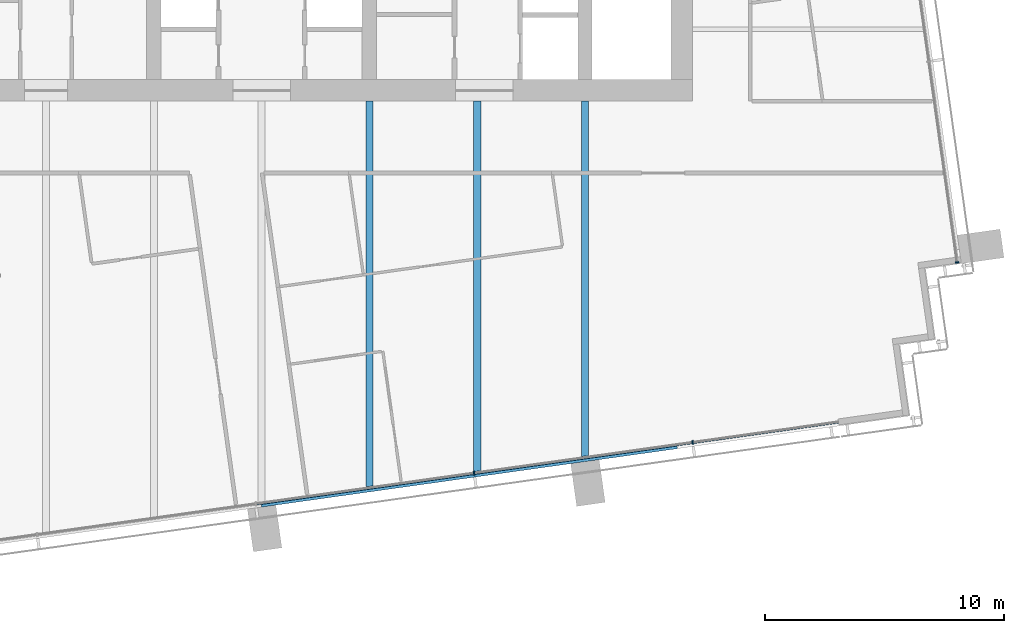
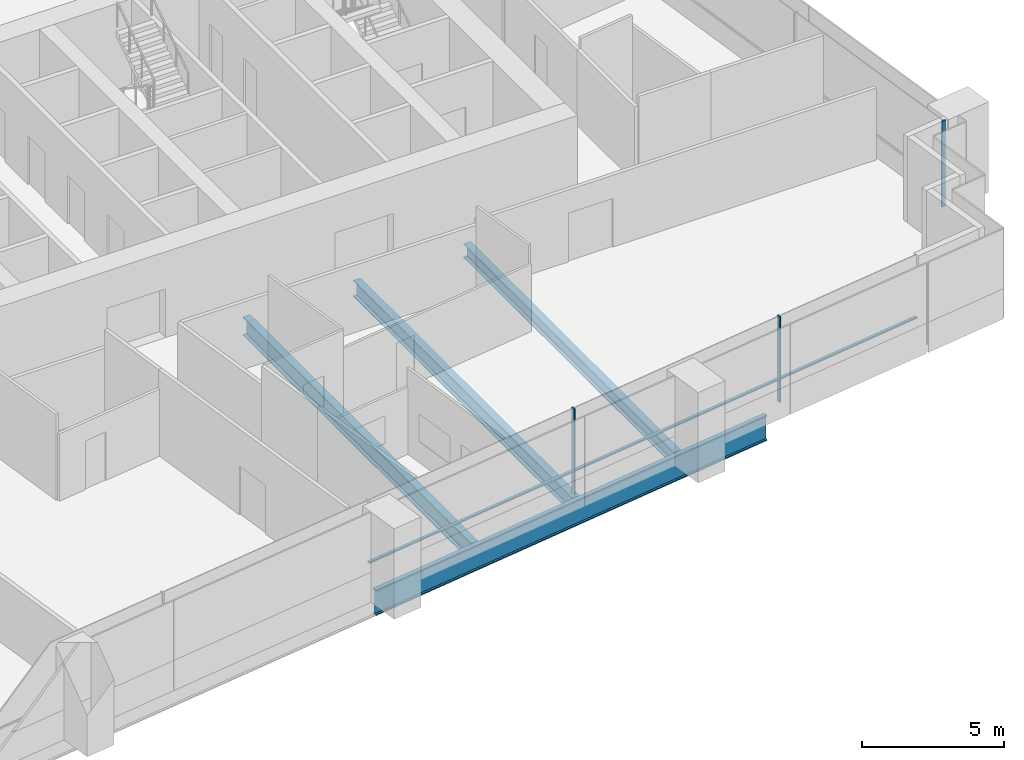
# One storey, part 4 of 18: 6 members, 4 beams, 2 elements without a shape of their own.
"""IFC4 building model written with IfcOpenShell, lengths in metres."""

from ifc_helpers import new_model, si_unit, direction, frame, origin, origin_2d, place, context, subcontext, project, spatial, rectangle, i_section, extrude, material, material_profile, profile_set, type_object, element, aggregate, save


model = new_model("IFC4")

# Units and contexts
model_context = context("Model", 3, precision=1e-05, world=origin(), true_north=direction((0.0, 1.0)))
body_context = subcontext(model_context, "Body", "Model", "MODEL_VIEW")
ifc_project = project(units=[si_unit("LENGTHUNIT", "METRE"), si_unit("AREAUNIT", "SQUARE_METRE"), si_unit("VOLUMEUNIT", "CUBIC_METRE"), si_unit("PLANEANGLEUNIT", "RADIAN"), si_unit("MASSUNIT", "GRAM", prefix="KILO")], contexts=[model_context])

# Site, building, storey
site_placement = place(None, origin())
site = spatial("IfcSite", under=ifc_project, at=site_placement, CompositionType="ELEMENT")
building_placement = place(site_placement, origin())
building = spatial("IfcBuilding", under=site, at=building_placement, Name="Rattan Terrace Tower", CompositionType="ELEMENT")
storey_placement = place(building_placement, frame((0.0, 0.0, 176.300048828125)))
storey = spatial("IfcBuildingStorey", under=building, at=storey_placement, Name="L40", CompositionType="ELEMENT", Elevation=176.300048828125)

# Curtain wall, member
ifc_material_1 = material(Name="Aluminium and glass", Category="aluminium")
curtain_wall_type = type_object("IfcCurtainWallType", Name="Facade Unitised Curtain Wall", PredefinedType="NOTDEFINED", material=ifc_material_1)
curtain_wall_1_placement = place(storey_placement, origin())
curtain_wall_1 = element("IfcCurtainWall", 1, at=curtain_wall_1_placement, inside=storey, type_object=curtain_wall_type, Name="Curtain wall L40-1", PredefinedType="NOTDEFINED")
ifc_material_2 = material(Name="Aluminium", Category="aluminium")
ifc_material_profile_1 = material_profile(ifc_material_2, rectangle(XDim=0.06005859375, YDim=0.159912109375, at=origin_2d()), Name="Aluminium 60x160")
ifc_profile_set_1 = profile_set([ifc_material_profile_1], Name="Aluminium")
member_type_1 = type_object("IfcMemberType", Name="Facade CW Mullion 60x160", PredefinedType="MULLION", material=ifc_profile_set_1)
member_1_placement = place(storey_placement, frame((29.037109375, -14.2333984375, 0.0), z_axis=(0.0, 0.0, 1.0), x_axis=(-0.139190856006, 0.99026557327, 0.0)))
member_1 = element("IfcMember", 2, at=member_1_placement, type_object=member_type_1, Name="Mullion cwl-L40-001.1", PredefinedType="MULLION", context=body_context, shape_type="SweptSolid", body=[
    extrude(rectangle(XDim=0.06005859375, YDim=0.159912109375, at=origin_2d()), origin(), (0.0, 0.0, 1.0), 3.699951171875),
])
aggregate(curtain_wall_1, [member_1])

# Curtain wall, members
curtain_wall_2_placement = place(storey_placement, origin())
curtain_wall_2 = element("IfcCurtainWall", 3, at=curtain_wall_2_placement, inside=storey, type_object=curtain_wall_type, Name="Curtain wall L40-4", PredefinedType="NOTDEFINED")
member_2_placement = place(storey_placement, frame((8.873291015625, -23.0302734375, 0.0), z_axis=(0.0, 0.0, 1.0), x_axis=(0.990269702686, 0.139161474347, 0.0)))
member_2 = element("IfcMember", 4, at=member_2_placement, type_object=member_type_1, Name="Mullion cwl-L40-004.4", PredefinedType="MULLION", context=body_context, shape_type="SweptSolid", body=[
    extrude(rectangle(XDim=0.06005859375, YDim=0.159912109375, at=origin_2d()), origin(), (0.0, 0.0, 1.0), 3.699951171875),
])
member_3_placement = place(storey_placement, frame((17.996826171875, -21.748291015625, 0.0), z_axis=(0.0, 0.0, 1.0), x_axis=(0.990269702686, 0.139161474347, 0.0)))
member_3 = element("IfcMember", 5, at=member_3_placement, type_object=member_type_1, Name="Mullion cwl-L40-004.5", PredefinedType="MULLION", context=body_context, shape_type="SweptSolid", body=[
    extrude(rectangle(XDim=0.06005859375, YDim=0.159912109375, at=origin_2d()), origin(), (0.0, 0.0, 1.0), 3.699951171875),
])
ifc_material_3 = material(Name="Aluminium", Category="aluminium")
ifc_material_profile_2 = material_profile(ifc_material_3, rectangle(XDim=0.1201171875, YDim=0.06005859375, at=origin_2d()), Name="Aluminium 120x60")
ifc_profile_set_2 = profile_set([ifc_material_profile_2], Name="Aluminium")
member_type_2 = type_object("IfcMemberType", Name="Facade CW Transom 120x60", PredefinedType="USERDEFINED", material=ifc_profile_set_2)
member_4_placement = place(storey_placement, frame((-0.22021484375, -24.308349609375, 1.0), z_axis=(0.990267035849, 0.139180450171, 0.0), x_axis=(-0.139180450171, 0.990267035849, 0.0)))
member_4 = element("IfcMember", 6, at=member_4_placement, type_object=member_type_2, Name="Transom cwl-L40-004.3", ObjectType="TRANSOM", PredefinedType="USERDEFINED", context=body_context, shape_type="SweptSolid", body=[
    extrude(rectangle(XDim=0.1201171875, YDim=0.06005859375, at=origin_2d()), origin(), (0.0, 0.0, 1.0), 9.153076171875),
])
member_5_placement = place(storey_placement, frame((8.903076171875, -23.026123046875, 1.0), z_axis=(0.990270711765, 0.139154293575, 0.0), x_axis=(-0.139154293575, 0.990270711765, 0.0)))
member_5 = element("IfcMember", 7, at=member_5_placement, type_object=member_type_2, Name="Transom cwl-L40-004.4", ObjectType="TRANSOM", PredefinedType="USERDEFINED", context=body_context, shape_type="SweptSolid", body=[
    extrude(rectangle(XDim=0.1201171875, YDim=0.06005859375, at=origin_2d()), origin(), (0.0, 0.0, 1.0), 9.153076171875),
])
member_6_placement = place(storey_placement, frame((18.0263671875, -21.744140625, 1.0), z_axis=(0.990267752185, 0.139175353357, 0.0), x_axis=(-0.139175353357, 0.990267752185, 0.0)))
member_6 = element("IfcMember", 8, at=member_6_placement, type_object=member_type_2, Name="Transom cwl-L40-004.5", ObjectType="TRANSOM", PredefinedType="USERDEFINED", context=body_context, shape_type="SweptSolid", body=[
    extrude(rectangle(XDim=0.1201171875, YDim=0.06005859375, at=origin_2d()), origin(), (0.0, 0.0, 1.0), 6.11865234375),
])
aggregate(curtain_wall_2, [member_2, member_3, member_4, member_5, member_6])

# Beams
ifc_material_4 = material(Name="Steel S460", Category="steel")
ifc_material_profile_3 = material_profile(ifc_material_4, i_section(OverallWidth=0.179931640625, OverallDepth=1.10009765625, WebThickness=0.01611328125, FlangeThickness=0.050048828125, at=origin_2d()), Name="PG 1100x180-16-50")
ifc_profile_set_3 = profile_set([ifc_material_profile_3], Name="Steel S460")
beam_type_1 = type_object("IfcBeamType", Name="Frame edge girder PG 1100x180-16-50", PredefinedType="SPANDREL", material=ifc_profile_set_3)
beam_1_placement = place(storey_placement, frame((17.347900390625, -21.9208984375, -0.75), z_axis=(-0.990273554652, -0.139134061096, 0.0), x_axis=(0.139134061096, -0.990273554652, 0.0)))
element("IfcBeam", 9, at=beam_1_placement, inside=storey, type_object=beam_type_1, Name="gdr-L40-002", PredefinedType="SPANDREL", context=body_context, shape_type="SweptSolid", body=[
    extrude(i_section(OverallWidth=0.179931640625, OverallDepth=1.10009765625, WebThickness=0.01611328125, FlangeThickness=0.050048828125, at=origin_2d()), origin(), (0.0, 0.0, 1.0), 17.53125),
])
ifc_material_5 = material(Name="Steel S355", Category="steel")
ifc_material_profile_4 = material_profile(ifc_material_5, i_section(OverallWidth=0.300048828125, OverallDepth=0.60009765625, WebThickness=0.015380859375, FlangeThickness=0.030029296875, FilletRadius=0.027099609375, at=origin_2d()), Name="HE 600 B")
ifc_profile_set_4 = profile_set([ifc_material_profile_4], Name="Steel S355")
beam_type_2 = type_object("IfcBeamType", Name="Frame floor beam HE 600 B", PredefinedType="JOIST", material=ifc_profile_set_4)
beam_2_placement = place(storey_placement, frame((13.5, -22.35009765625, -0.5), z_axis=(0.0, 1.0, 0.0), x_axis=(-1.0, 0.0, 0.0)))
element("IfcBeam", 10, at=beam_2_placement, inside=storey, type_object=beam_type_2, Name="bm-L40-009", PredefinedType="JOIST", context=body_context, shape_type="SweptSolid", body=[
    extrude(i_section(OverallWidth=0.300048828125, OverallDepth=0.60009765625, WebThickness=0.015380859375, FlangeThickness=0.030029296875, FilletRadius=0.027099609375, at=origin_2d()), origin(), (0.0, 0.0, 1.0), 14.85009765625),
])
ifc_material_6 = material(Name="Steel S355", Category="steel")
ifc_material_profile_5 = material_profile(ifc_material_6, i_section(OverallWidth=0.300048828125, OverallDepth=0.699951171875, WebThickness=0.01708984375, FlangeThickness=0.031982421875, FilletRadius=0.027099609375, at=origin_2d()), Name="HE 700 B")
ifc_profile_set_5 = profile_set([ifc_material_profile_5], Name="Steel S355")
beam_type_3 = type_object("IfcBeamType", Name="Frame floor beam HE 700 B", PredefinedType="JOIST", material=ifc_profile_set_5)
beam_3_placement = place(storey_placement, frame((9.0, -22.98193359375, -0.550048828125), z_axis=(0.0, 1.0, 0.0), x_axis=(-1.0, 0.0, 0.0)))
element("IfcBeam", 11, at=beam_3_placement, inside=storey, type_object=beam_type_3, Name="bm-L40-008", PredefinedType="JOIST", context=body_context, shape_type="SweptSolid", body=[
    extrude(i_section(OverallWidth=0.300048828125, OverallDepth=0.699951171875, WebThickness=0.01708984375, FlangeThickness=0.031982421875, FilletRadius=0.027099609375, at=origin_2d()), origin(), (0.0, 0.0, 1.0), 15.48193359375),
])
ifc_material_7 = material(Name="Steel S355", Category="steel")
ifc_material_profile_6 = material_profile(ifc_material_7, i_section(OverallWidth=0.300048828125, OverallDepth=0.800048828125, WebThickness=0.017578125, FlangeThickness=0.032958984375, FilletRadius=0.030029296875, at=origin_2d()), Name="HE 800 B")
ifc_profile_set_6 = profile_set([ifc_material_profile_6], Name="Steel S355")
beam_type_4 = type_object("IfcBeamType", Name="Frame floor beam HE 800 B", PredefinedType="JOIST", material=ifc_profile_set_6)
beam_4_placement = place(storey_placement, frame((4.5, -23.614013671875, -0.60009765625), z_axis=(0.0, 1.0, 0.0), x_axis=(-1.0, 0.0, 0.0)))
element("IfcBeam", 12, at=beam_4_placement, inside=storey, type_object=beam_type_4, Name="bm-L40-007", PredefinedType="JOIST", context=body_context, shape_type="SweptSolid", body=[
    extrude(i_section(OverallWidth=0.300048828125, OverallDepth=0.800048828125, WebThickness=0.017578125, FlangeThickness=0.032958984375, FilletRadius=0.030029296875, at=origin_2d()), origin(), (0.0, 0.0, 1.0), 16.114013671875),
])

save(model, "model.ifc")
